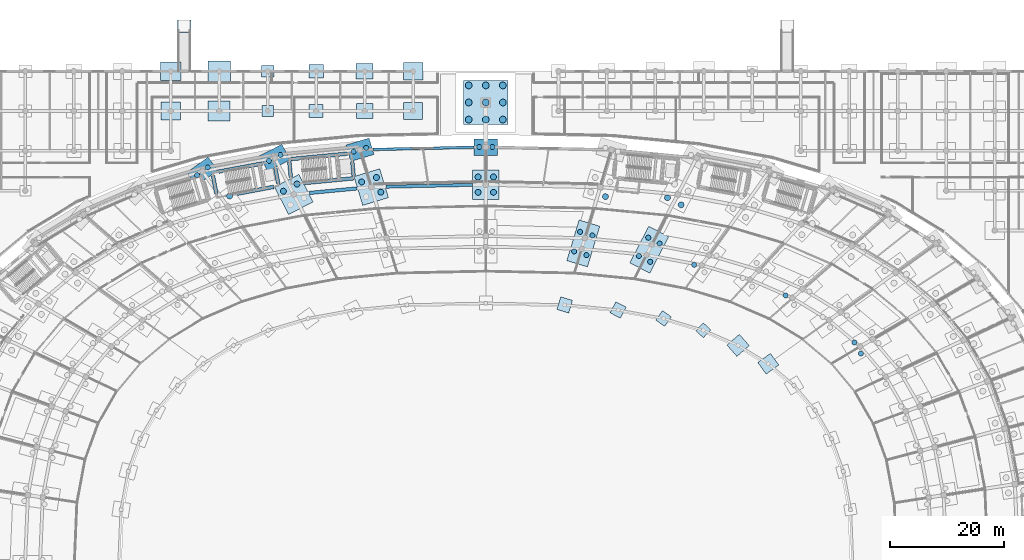
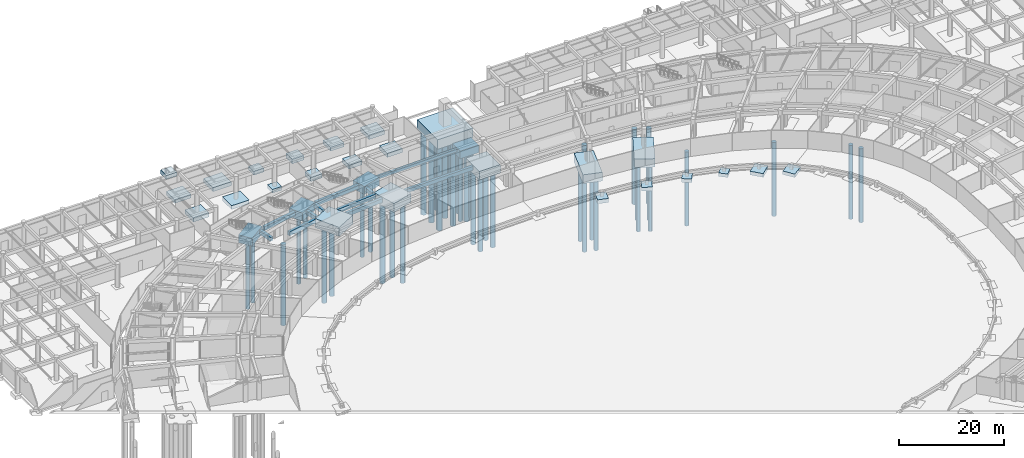
# One storey, part 11 of 88: 42 piles, 40 footings.
"""IFC4 building model written with IfcOpenShell, lengths in metres."""

from ifc_helpers import new_model, si_unit, direction, frame, origin, origin_2d, place, context, subcontext, project, spatial, rectangle, circle, extrude, material, material_profile, profile_set, type_object, element, save


model = new_model("IFC4")

# Units and contexts
model_context = context("Model", 3, precision=1e-05, world=origin(), true_north=direction((0.0, 1.0)))
body_context = subcontext(model_context, "Body", "Model", "MODEL_VIEW")
ifc_project = project(units=[si_unit("LENGTHUNIT", "METRE"), si_unit("AREAUNIT", "SQUARE_METRE"), si_unit("VOLUMEUNIT", "CUBIC_METRE"), si_unit("PLANEANGLEUNIT", "RADIAN"), si_unit("MASSUNIT", "GRAM", prefix="KILO")], contexts=[model_context])

# Site, building, storey
site_placement = place(None, origin())
site = spatial("IfcSite", under=ifc_project, at=site_placement, CompositionType="ELEMENT")
building_placement = place(site_placement, origin())
building = spatial("IfcBuilding", under=site, at=building_placement, Name="Mphavela Belvedere Stadium", CompositionType="ELEMENT")
storey_placement = place(building_placement, origin())
storey = spatial("IfcBuildingStorey", under=building, at=storey_placement, Name="L00", CompositionType="ELEMENT", Elevation=0.0)

# Footings
ifc_material_1 = material(Name="Concrete C35/45", Category="concrete")
footing_type_1 = type_object("IfcFootingType", Name="FTG-CORE-CF03", PredefinedType="PAD_FOOTING", material=ifc_material_1)
footing_1_placement = place(storey_placement, frame((91.653564453125, 156.848388671875, -0.89990234375), z_axis=(0.0, 0.0, 1.0), x_axis=(-0.094977069084, 0.995479460536, 0.0)))
element("IfcFooting", 1, at=footing_1_placement, inside=storey, type_object=footing_type_1, Name="Core C04 shear wall foundation pad right", PredefinedType="PAD_FOOTING", context=body_context, shape_type="SweptSolid", body=[
    extrude(rectangle(XDim=2.5, YDim=0.64990234375, at=origin_2d()), origin(), (0.0, 0.0, 1.0), 0.89990234375),
])
ifc_material_2 = material(Name="Concrete C35/45", Category="concrete")
footing_type_2 = type_object("IfcFootingType", Name="FTG-CORE-CF04", PredefinedType="PAD_FOOTING", material=ifc_material_2)
for number, where, z_axis, x_axis, name in (
    (2, (78.279052734375, 155.533447265625, -0.89990234375), (0.0, 0.0, 1.0), (-0.183093507769, 0.983095502692, 0.0), "Core C02 shear wall foundation pad right"),
    (3, (80.594970703125, 156.729736328125, -0.89990234375), (0.0, 0.0, 1.0), (-0.094977069084, 0.995479460536, 0.0), "Core C04 shear wall foundation pad left"),
):
    element("IfcFooting", number, at=place(storey_placement, frame(where, z_axis=z_axis, x_axis=x_axis)), inside=storey, type_object=footing_type_2, Name=name, PredefinedType="PAD_FOOTING", context=body_context, shape_type="SweptSolid", body=[
        extrude(rectangle(XDim=2.75, YDim=0.64990234375, at=origin_2d()), origin(), (0.0, 0.0, 1.0), 0.89990234375),
    ])
ifc_material_3 = material(Name="Concrete C35/45", Category="concrete")
footing_type_3 = type_object("IfcFootingType", Name="FTG-CORE-CF06", PredefinedType="PAD_FOOTING", material=ifc_material_3)
footing_2_placement = place(storey_placement, frame((67.345703125, 154.051025390625, -0.89990234375), z_axis=(0.0, 0.0, 1.0), x_axis=(-0.183093507769, 0.983095502692, 0.0)))
element("IfcFooting", 4, at=footing_2_placement, inside=storey, type_object=footing_type_3, Name="Core C02 shear wall foundation pad left", PredefinedType="PAD_FOOTING", context=body_context, shape_type="SweptSolid", body=[
    extrude(rectangle(XDim=3.25, YDim=0.64990234375, at=origin_2d()), origin(), (0.0, 0.0, 1.0), 0.89990234375),
])
ifc_material_4 = material(Name="Concrete C35/45", Category="concrete")
footing_type_4 = type_object("IfcFootingType", Name="FTG-CORE-CF16", PredefinedType="PAD_FOOTING", material=ifc_material_4)
footing_3_placement = place(storey_placement, frame((74.5419921875, 153.073974609375, -0.89990234375), z_axis=(0.0, 0.0, 1.0), x_axis=(0.983095502692, 0.183093507769, 0.0)))
element("IfcFooting", 5, at=footing_3_placement, inside=storey, type_object=footing_type_4, Name="Core C02 shear wall foundation pad front", PredefinedType="PAD_FOOTING", context=body_context, shape_type="SweptSolid", body=[
    extrude(rectangle(XDim=6.5, YDim=0.64990234375, at=origin_2d()), origin(), (0.0, 0.0, 1.0), 0.89990234375),
])
ifc_material_5 = material(Name="Concrete C35/45", Category="concrete")
footing_type_5 = type_object("IfcFootingType", Name="FTG-CORE-CF19", PredefinedType="PAD_FOOTING", material=ifc_material_5)
footing_4_placement = place(storey_placement, frame((71.893310546875, 157.06640625, -0.89990234375), z_axis=(0.0, 0.0, 1.0), x_axis=(0.983095502692, 0.183093507769, 0.0)))
element("IfcFooting", 6, at=footing_4_placement, inside=storey, type_object=footing_type_5, Name="Core C02 shear wall foundation pad rear", PredefinedType="PAD_FOOTING", context=body_context, shape_type="SweptSolid", body=[
    extrude(rectangle(XDim=7.75, YDim=0.64990234375, at=origin_2d()), origin(), (0.0, 0.0, 1.0), 0.89990234375),
])
ifc_material_6 = material(Name="Concrete C35/45", Category="concrete")
footing_type_6 = type_object("IfcFootingType", Name="FTG-CORE-CF21", PredefinedType="PAD_FOOTING", material=ifc_material_6)
footing_5_placement = place(storey_placement, frame((87.470947265625, 154.7626953125, -0.89990234375), z_axis=(0.0, 0.0, 1.0), x_axis=(0.995479460536, 0.094977069084, 0.0)))
element("IfcFooting", 7, at=footing_5_placement, inside=storey, type_object=footing_type_6, Name="Core C04 shear wall foundation pad front", PredefinedType="PAD_FOOTING", context=body_context, shape_type="SweptSolid", body=[
    extrude(rectangle(XDim=8.75, YDim=0.64990234375, at=origin_2d()), origin(), (0.0, 0.0, 1.0), 0.89990234375),
])
ifc_material_7 = material(Name="Concrete C35/45", Category="concrete")
footing_type_7 = type_object("IfcFootingType", Name="FTG-CORE-CF23", PredefinedType="PAD_FOOTING", material=ifc_material_7)
footing_6_placement = place(storey_placement, frame((85.697509765625, 159.023681640625, -0.89990234375), z_axis=(0.0, 0.0, 1.0), x_axis=(0.995479460536, 0.094977069084, 0.0)))
element("IfcFooting", 8, at=footing_6_placement, inside=storey, type_object=footing_type_7, Name="Core C04 shear wall foundation pad rear", PredefinedType="PAD_FOOTING", context=body_context, shape_type="SweptSolid", body=[
    extrude(rectangle(XDim=10.0, YDim=0.64990234375, at=origin_2d()), origin(), (0.0, 0.0, 1.0), 0.89990234375),
])
ifc_material_8 = material(Name="Concrete C35/45", Category="concrete")
ifc_material_profile_1 = material_profile(ifc_material_8, rectangle(XDim=0.449951171875, YDim=0.75, at=origin_2d()), Name="GB 450x750")
ifc_profile_set_1 = profile_set([ifc_material_profile_1], Name="Concrete C35/45")
footing_type_8 = type_object("IfcFootingType", Name="FTG-GB-01", PredefinedType="FOOTING_BEAM", material=ifc_profile_set_1)
footing_7_placement = place(storey_placement, frame((112.9111328125, 160.625, -0.5), z_axis=(-0.999768275781, -0.021526605434, 0.0), x_axis=(0.021526605434, -0.999768275781, 0.0)))
element("IfcFooting", 9, at=footing_7_placement, inside=storey, type_object=footing_type_8, Name="Ground tie-beam R4-13", PredefinedType="FOOTING_BEAM", context=body_context, shape_type="SweptSolid", body=[
    extrude(rectangle(XDim=0.449951171875, YDim=0.75, at=origin_2d()), origin(), (0.0, 0.0, 1.0), 17.7265625),
])
ifc_material_9 = material(Name="Concrete C35/45", Category="concrete")
ifc_material_profile_2 = material_profile(ifc_material_9, rectangle(XDim=0.550048828125, YDim=0.85009765625, at=origin_2d()), Name="GB 550x850")
ifc_profile_set_2 = profile_set([ifc_material_profile_2], Name="Concrete C35/45")
footing_type_9 = type_object("IfcFootingType", Name="FTG-GB-03", PredefinedType="FOOTING_BEAM", material=ifc_profile_set_2)
footing_8_placement = place(storey_placement, frame((112.66015625, 154.01708984375, -0.550048828125), z_axis=(-0.999768391187, -0.021521244921, 0.0), x_axis=(0.021521244921, -0.999768391187, 0.0)))
element("IfcFooting", 10, at=footing_8_placement, inside=storey, type_object=footing_type_9, Name="Ground tie-beam R3-13", PredefinedType="FOOTING_BEAM", context=body_context, shape_type="SweptSolid", body=[
    extrude(rectangle(XDim=0.550048828125, YDim=0.85009765625, at=origin_2d()), origin(), (0.0, 0.0, 1.0), 15.235107421875),
])
ifc_material_10 = material(Name="Concrete C35/45", Category="concrete")
ifc_material_profile_3 = material_profile(ifc_material_10, rectangle(XDim=0.60009765625, YDim=0.89990234375, at=origin_2d()), Name="GB 600x900")
ifc_profile_set_3 = profile_set([ifc_material_profile_3], Name="Concrete C35/45")
footing_type_10 = type_object("IfcFootingType", Name="FTG-GB-04", PredefinedType="FOOTING_BEAM", material=ifc_profile_set_3)
footing_9_placement = place(storey_placement, frame((92.37646484375, 153.396484375, -0.550048828125), z_axis=(-0.99548437937, -0.094925499371, 0.0), x_axis=(0.094925499371, -0.99548437937, 0.0)))
element("IfcFooting", 11, at=footing_9_placement, inside=storey, type_object=footing_type_10, Name="Ground tie-beam R3-14", PredefinedType="FOOTING_BEAM", context=body_context, shape_type="SweptSolid", body=[
    extrude(rectangle(XDim=0.60009765625, YDim=0.89990234375, at=origin_2d()), origin(), (0.0, 0.0, 1.0), 8.412841796875),
])
ifc_material_11 = material(Name="Concrete C35/45", Category="concrete")
footing_type_11 = type_object("IfcFootingType", Name="FTG-PAD-01", PredefinedType="PAD_FOOTING", material=ifc_material_11)
footing_10_placement = place(storey_placement, frame((153.229736328125, 128.462890625, -0.7998046875), z_axis=(0.0, 0.0, 1.0), x_axis=(0.677903094969, 0.735151272753, 0.0)))
element("IfcFooting", 12, at=footing_10_placement, inside=storey, type_object=footing_type_11, Name="Tier front pad footing 09", PredefinedType="PAD_FOOTING", context=body_context, shape_type="SweptSolid", body=[
    extrude(rectangle(XDim=1.89990234375, YDim=1.800048828125, at=origin_2d()), origin(), (0.0, 0.0, 1.0), 0.800048828125),
])
ifc_material_12 = material(Name="Concrete C35/45", Category="concrete")
footing_type_12 = type_object("IfcFootingType", Name="FTG-PAD-02", PredefinedType="PAD_FOOTING", material=ifc_material_12)
for number, where, z_axis, x_axis, name in (
    (13, (146.2431640625, 130.53662109375, -0.83984375), (0.0, 0.0, 1.0), (0.582974127943, 0.812490717577, 0.0), "Tier front pad footing 10"),
    (14, (76.6669921875, 167.0, -0.83984375), (0.0, 0.0, 1.0), (1.0, 0.0, 0.0), "North Mast and Ceremonial End Forecourt pad footing 10-7"),
):
    element("IfcFooting", number, at=place(storey_placement, frame(where, z_axis=z_axis, x_axis=x_axis)), inside=storey, type_object=footing_type_12, Name=name, PredefinedType="PAD_FOOTING", context=body_context, shape_type="SweptSolid", body=[
        extrude(rectangle(XDim=2.0400390625, YDim=1.919921875, at=origin_2d()), origin(), (0.0, 0.0, 1.0), 0.840087890625),
    ])
ifc_material_13 = material(Name="Concrete C35/45", Category="concrete")
footing_type_13 = type_object("IfcFootingType", Name="FTG-PAD-03", PredefinedType="PAD_FOOTING", material=ifc_material_13)
for number, where, z_axis, x_axis, name in (
    (15, (138.258056640625, 132.02392578125, -0.8798828125), (0.0, 0.0, 1.0), (0.458959712465, 0.888457079624, 0.0), "Tier front pad footing 11"),
    (16, (76.6669921875, 174.0, -0.8798828125), (0.0, 0.0, 1.0), (1.0, 0.0, 0.0), "North Mast and Ceremonial End Forecourt pad footing 10-8"),
):
    element("IfcFooting", number, at=place(storey_placement, frame(where, z_axis=z_axis, x_axis=x_axis)), inside=storey, type_object=footing_type_13, Name=name, PredefinedType="PAD_FOOTING", context=body_context, shape_type="SweptSolid", body=[
        extrude(rectangle(XDim=2.179931640625, YDim=2.0400390625, at=origin_2d()), origin(), (0.0, 0.0, 1.0), 0.8798828125),
    ])
ifc_material_14 = material(Name="Concrete C35/45", Category="concrete")
footing_type_14 = type_object("IfcFootingType", Name="FTG-PAD-04", PredefinedType="PAD_FOOTING", material=ifc_material_14)
for number, where, z_axis, x_axis, name in (
    (17, (128.873779296875, 132.918701171875, -0.919921875), (0.0, 0.0, 1.0), (0.289198876314, 0.957269037387, 0.0), "Tier front pad footing 12"),
    (18, (62.0, 181.89990234375, -1.4599609375), (0.0, 0.0, 1.0), (1.0, 0.0, 0.0), "Ramp RP3 approach foundation pad"),
):
    element("IfcFooting", number, at=place(storey_placement, frame(where, z_axis=z_axis, x_axis=x_axis)), inside=storey, type_object=footing_type_14, Name=name, PredefinedType="PAD_FOOTING", context=body_context, shape_type="SweptSolid", body=[
        extrude(rectangle(XDim=2.320068359375, YDim=2.159912109375, at=origin_2d()), origin(), (0.0, 0.0, 1.0), 0.919921875),
    ])
ifc_material_15 = material(Name="Concrete C35/45", Category="concrete")
footing_type_15 = type_object("IfcFootingType", Name="FTG-PAD-05", PredefinedType="PAD_FOOTING", material=ifc_material_15)
footing_11_placement = place(storey_placement, frame((85.18505859375, 167.0, -0.9599609375), z_axis=(0.0, 0.0, 1.0), x_axis=(1.0, 0.0, 0.0)))
element("IfcFooting", 19, at=footing_11_placement, inside=storey, type_object=footing_type_15, Name="North Mast and Ceremonial End Forecourt pad footing 11-7", PredefinedType="PAD_FOOTING", context=body_context, shape_type="SweptSolid", body=[
    extrude(rectangle(XDim=2.4599609375, YDim=2.280029296875, at=origin_2d()), origin(), (0.0, 0.0, 1.0), 0.9599609375),
])
ifc_material_16 = material(Name="Concrete C35/45", Category="concrete")
footing_type_16 = type_object("IfcFootingType", Name="FTG-PAD-06", PredefinedType="PAD_FOOTING", material=ifc_material_16)
footing_12_placement = place(storey_placement, frame((85.18505859375, 174.0, -1.0), z_axis=(0.0, 0.0, 1.0), x_axis=(1.0, 0.0, 0.0)))
element("IfcFooting", 20, at=footing_12_placement, inside=storey, type_object=footing_type_16, Name="North Mast and Ceremonial End Forecourt pad footing 11-8", PredefinedType="PAD_FOOTING", context=body_context, shape_type="SweptSolid", body=[
    extrude(rectangle(XDim=2.60009765625, YDim=2.39990234375, at=origin_2d()), origin(), (0.0, 0.0, 1.0), 1.0),
])
ifc_material_17 = material(Name="Concrete C35/45", Category="concrete")
footing_type_17 = type_object("IfcFootingType", Name="FTG-PAD-07", PredefinedType="PAD_FOOTING", material=ifc_material_17)
footing_13_placement = place(storey_placement, frame((164.658935546875, 122.580322265625, -0.7998046875), z_axis=(0.0, 0.0, 1.0), x_axis=(0.812897512265, 0.582406760395, 0.0)))
element("IfcFooting", 21, at=footing_13_placement, inside=storey, type_object=footing_type_17, Name="Tier front pad footing 07", PredefinedType="PAD_FOOTING", context=body_context, shape_type="SweptSolid", body=[
    extrude(rectangle(XDim=2.739990234375, YDim=2.52001953125, at=origin_2d()), origin(), (0.0, 0.0, 1.0), 0.800048828125),
])
ifc_material_18 = material(Name="Concrete C35/45", Category="concrete")
footing_type_18 = type_object("IfcFootingType", Name="FTG-PAD-08", PredefinedType="PAD_FOOTING", material=ifc_material_18)
for number, where, z_axis, x_axis, name in (
    (22, (159.351806640625, 125.80908203125, -0.83984375), (0.0, 0.0, 1.0), (0.752529860433, 0.658558128912, 0.0), "Tier front pad footing 08"),
    (23, (93.7041015625, 167.0, -0.83984375), (0.0, 0.0, 1.0), (1.0, 0.0, 0.0), "North Mast and Ceremonial End Forecourt pad footing 12-7"),
):
    element("IfcFooting", number, at=place(storey_placement, frame(where, z_axis=z_axis, x_axis=x_axis)), inside=storey, type_object=footing_type_18, Name=name, PredefinedType="PAD_FOOTING", context=body_context, shape_type="SweptSolid", body=[
        extrude(rectangle(XDim=2.8798828125, YDim=2.639892578125, at=origin_2d()), origin(), (0.0, 0.0, 1.0), 0.840087890625),
    ])
ifc_material_19 = material(Name="Concrete C35/45", Category="concrete")
footing_type_19 = type_object("IfcFootingType", Name="FTG-PAD-09", PredefinedType="PAD_FOOTING", material=ifc_material_19)
footing_14_placement = place(storey_placement, frame((93.7041015625, 174.0, -0.8798828125), z_axis=(0.0, 0.0, 1.0), x_axis=(1.0, 0.0, 0.0)))
element("IfcFooting", 24, at=footing_14_placement, inside=storey, type_object=footing_type_19, Name="North Mast and Ceremonial End Forecourt pad footing 12-8", PredefinedType="PAD_FOOTING", context=body_context, shape_type="SweptSolid", body=[
    extrude(rectangle(XDim=3.02001953125, YDim=2.760009765625, at=origin_2d()), origin(), (0.0, 0.0, 1.0), 0.8798828125),
])
ifc_material_20 = material(Name="Concrete C35/45", Category="concrete")
footing_type_20 = type_object("IfcFootingType", Name="FTG-PAD-11", PredefinedType="PAD_FOOTING", material=ifc_material_20)
footing_15_placement = place(storey_placement, frame((102.221923828125, 167.0, -0.9599609375), z_axis=(0.0, 0.0, 1.0), x_axis=(1.0, 0.0, 0.0)))
element("IfcFooting", 25, at=footing_15_placement, inside=storey, type_object=footing_type_20, Name="North Mast and Ceremonial End Forecourt pad footing 13-7", PredefinedType="PAD_FOOTING", context=body_context, shape_type="SweptSolid", body=[
    extrude(rectangle(XDim=3.300048828125, YDim=3.0, at=origin_2d()), origin(), (0.0, 0.0, 1.0), 0.9599609375),
])
ifc_material_21 = material(Name="Concrete C35/45", Category="concrete")
footing_type_21 = type_object("IfcFootingType", Name="FTG-PAD-12", PredefinedType="PAD_FOOTING", material=ifc_material_21)
for number, where, z_axis, x_axis, name in (
    (26, (59.6298828125, 167.0, -1.0), (0.0, 0.0, 1.0), (1.0, 0.0, 0.0), "North Mast and Ceremonial End Forecourt pad footing 8-7"),
    (27, (102.221923828125, 174.0, -1.0), (0.0, 0.0, 1.0), (1.0, 0.0, 0.0), "North Mast and Ceremonial End Forecourt pad footing 13-8"),
):
    element("IfcFooting", number, at=place(storey_placement, frame(where, z_axis=z_axis, x_axis=x_axis)), inside=storey, type_object=footing_type_21, Name=name, PredefinedType="PAD_FOOTING", context=body_context, shape_type="SweptSolid", body=[
        extrude(rectangle(XDim=3.43994140625, YDim=3.1201171875, at=origin_2d()), origin(), (0.0, 0.0, 1.0), 1.0),
    ])
ifc_material_22 = material(Name="Concrete C35/45", Category="concrete")
footing_type_22 = type_object("IfcFootingType", Name="FTG-PAD-13", PredefinedType="PAD_FOOTING", material=ifc_material_22)
footing_16_placement = place(storey_placement, frame((59.6298828125, 174.0, -0.7998046875), z_axis=(0.0, 0.0, 1.0), x_axis=(1.0, 0.0, 0.0)))
element("IfcFooting", 28, at=footing_16_placement, inside=storey, type_object=footing_type_22, Name="North Mast and Ceremonial End Forecourt pad footing 8-8", PredefinedType="PAD_FOOTING", context=body_context, shape_type="SweptSolid", body=[
    extrude(rectangle(XDim=3.580078125, YDim=3.239990234375, at=origin_2d()), origin(), (0.0, 0.0, 1.0), 0.800048828125),
])
ifc_material_23 = material(Name="Concrete C35/45", Category="concrete")
footing_type_23 = type_object("IfcFootingType", Name="FTG-PAD-15", PredefinedType="PAD_FOOTING", material=ifc_material_23)
footing_17_placement = place(storey_placement, frame((68.14794921875, 167.0, -0.8798828125), z_axis=(0.0, 0.0, 1.0), x_axis=(1.0, 0.0, 0.0)))
element("IfcFooting", 29, at=footing_17_placement, inside=storey, type_object=footing_type_23, Name="North Mast and Ceremonial End Forecourt pad footing 9-7", PredefinedType="PAD_FOOTING", context=body_context, shape_type="SweptSolid", body=[
    extrude(rectangle(XDim=3.860107421875, YDim=3.47998046875, at=origin_2d()), origin(), (0.0, 0.0, 1.0), 0.8798828125),
])
ifc_material_24 = material(Name="Concrete C35/45", Category="concrete")
footing_type_24 = type_object("IfcFootingType", Name="FTG-PAD-16", PredefinedType="PAD_FOOTING", material=ifc_material_24)
footing_18_placement = place(storey_placement, frame((68.14794921875, 174.0, -0.919921875), z_axis=(0.0, 0.0, 1.0), x_axis=(1.0, 0.0, 0.0)))
element("IfcFooting", 30, at=footing_18_placement, inside=storey, type_object=footing_type_24, Name="North Mast and Ceremonial End Forecourt pad footing 9-8", PredefinedType="PAD_FOOTING", context=body_context, shape_type="SweptSolid", body=[
    extrude(rectangle(XDim=4.0, YDim=3.60009765625, at=origin_2d()), origin(), (0.0, 0.0, 1.0), 0.919921875),
])
ifc_material_25 = material(Name="Concrete C35/45", Category="concrete")
footing_type_25 = type_object("IfcFootingType", Name="FTG-PC-MAST", PredefinedType="PILE_CAP", material=ifc_material_25)
footing_19_placement = place(storey_placement, frame((115.0, 168.5, -2.2001953125), z_axis=(0.0, 0.0, 1.0), x_axis=(1.0, 0.0, 0.0)))
element("IfcFooting", 31, at=footing_19_placement, inside=storey, type_object=footing_type_25, Name="North mast buttress 9-pile cap PC-M1", PredefinedType="PILE_CAP", context=body_context, shape_type="SweptSolid", body=[
    extrude(rectangle(XDim=7.800048828125, YDim=7.800048828125, at=origin_2d()), origin(), (0.0, 0.0, 1.0), 2.199951171875),
])
ifc_material_26 = material(Name="Concrete C35/45", Category="concrete")
footing_type_26 = type_object("IfcFootingType", Name="FTG-PC-R12-03", PredefinedType="PILE_CAP", material=ifc_material_26)
footing_20_placement = place(storey_placement, frame((143.7314453125, 142.619873046875, -1.97021484375), z_axis=(0.0, 0.0, 1.0), x_axis=(0.458959712465, 0.888457079624, 0.0)))
element("IfcFooting", 32, at=footing_20_placement, inside=storey, type_object=footing_type_26, Name="Bowl inner pile cap 11", PredefinedType="PILE_CAP", context=body_context, shape_type="SweptSolid", body=[
    extrude(rectangle(XDim=7.239990234375, YDim=3.9599609375, at=origin_2d()), origin(), (0.0, 0.0, 1.0), 1.969970703125),
])
ifc_material_27 = material(Name="Concrete C35/45", Category="concrete")
footing_type_27 = type_object("IfcFootingType", Name="FTG-PC-R12-04", PredefinedType="PILE_CAP", material=ifc_material_27)
footing_21_placement = place(storey_placement, frame((132.138916015625, 143.72509765625, -2.02978515625), z_axis=(0.0, 0.0, 1.0), x_axis=(0.289198876314, 0.957269037387, 0.0)))
element("IfcFooting", 33, at=footing_21_placement, inside=storey, type_object=footing_type_27, Name="Bowl inner pile cap 12", PredefinedType="PILE_CAP", context=body_context, shape_type="SweptSolid", body=[
    extrude(rectangle(XDim=7.4599609375, YDim=3.800048828125, at=origin_2d()), origin(), (0.0, 0.0, 1.0), 2.030029296875),
])
ifc_material_28 = material(Name="Concrete C35/45", Category="concrete")
footing_type_28 = type_object("IfcFootingType", Name="FTG-PC-R3-05", PredefinedType="PILE_CAP", material=ifc_material_28)
footing_22_placement = place(storey_placement, frame((115.0, 154.0673828125, -1.9501953125), z_axis=(0.0, 0.0, 1.0), x_axis=(0.0, 1.0, 0.0)))
element("IfcFooting", 34, at=footing_22_placement, inside=storey, type_object=footing_type_28, Name="Bowl main pile cap 13", PredefinedType="PILE_CAP", context=body_context, shape_type="SweptSolid", body=[
    extrude(rectangle(XDim=5.159912109375, YDim=4.60009765625, at=origin_2d()), origin(), (0.0, 0.0, 1.0), 1.949951171875),
])
ifc_material_29 = material(Name="Concrete C35/45", Category="concrete")
footing_type_29 = type_object("IfcFootingType", Name="FTG-PC-R3-06", PredefinedType="PILE_CAP", material=ifc_material_29)
footing_23_placement = place(storey_placement, frame((94.8671875, 153.634033203125, -2.009765625), z_axis=(0.0, 0.0, 1.0), x_axis=(-0.289198876314, 0.957269037387, 0.0)))
element("IfcFooting", 35, at=footing_23_placement, inside=storey, type_object=footing_type_29, Name="Bowl main pile cap 14", PredefinedType="PILE_CAP", context=body_context, shape_type="SweptSolid", body=[
    extrude(rectangle(XDim=5.300048828125, YDim=4.719970703125, at=origin_2d()), origin(), (0.0, 0.0, 1.0), 2.010009765625),
])
ifc_material_30 = material(Name="Concrete C35/45", Category="concrete")
footing_type_30 = type_object("IfcFootingType", Name="FTG-PC-R3-07", PredefinedType="PILE_CAP", material=ifc_material_30)
footing_24_placement = place(storey_placement, frame((81.249755859375, 152.33544921875, -2.06982421875), z_axis=(0.0, 0.0, 1.0), x_axis=(-0.458959712465, 0.888457079624, 0.0)))
element("IfcFooting", 36, at=footing_24_placement, inside=storey, type_object=footing_type_30, Name="Bowl main pile cap 15", PredefinedType="PILE_CAP", context=body_context, shape_type="SweptSolid", body=[
    extrude(rectangle(XDim=5.43994140625, YDim=4.840087890625, at=origin_2d()), origin(), (0.0, 0.0, 1.0), 2.070068359375),
])
ifc_material_31 = material(Name="Concrete C35/45", Category="concrete")
footing_type_31 = type_object("IfcFootingType", Name="FTG-PC-R4-01", PredefinedType="PILE_CAP", material=ifc_material_31)
footing_25_placement = place(storey_placement, frame((115.0, 160.669921875, -1.7998046875), z_axis=(0.0, 0.0, 1.0), x_axis=(-1.0, 0.0, 0.0)))
element("IfcFooting", 37, at=footing_25_placement, inside=storey, type_object=footing_type_31, Name="Perimeter colonnade pile cap 13", PredefinedType="PILE_CAP", context=body_context, shape_type="SweptSolid", body=[
    extrude(rectangle(XDim=4.10009765625, YDim=2.89990234375, at=origin_2d()), origin(), (0.0, 0.0, 1.0), 1.800048828125),
])
ifc_material_32 = material(Name="Concrete C35/45", Category="concrete")
footing_type_32 = type_object("IfcFootingType", Name="FTG-PC-R4-02", PredefinedType="PILE_CAP", material=ifc_material_32)
footing_26_placement = place(storey_placement, frame((92.885498046875, 160.19384765625, -1.85986328125), z_axis=(0.0, 0.0, 1.0), x_axis=(-0.957269037387, -0.289198876314, 0.0)))
element("IfcFooting", 38, at=footing_26_placement, inside=storey, type_object=footing_type_32, Name="Perimeter colonnade pile cap 14", PredefinedType="PILE_CAP", context=body_context, shape_type="SweptSolid", body=[
    extrude(rectangle(XDim=4.25, YDim=3.0, at=origin_2d()), origin(), (0.0, 0.0, 1.0), 1.860107421875),
])
ifc_material_33 = material(Name="Concrete C35/45", Category="concrete")
footing_type_33 = type_object("IfcFootingType", Name="FTG-PC-R4-03", PredefinedType="PILE_CAP", material=ifc_material_33)
footing_27_placement = place(storey_placement, frame((77.92724609375, 158.767333984375, -1.919921875), z_axis=(0.0, 0.0, 1.0), x_axis=(-0.888457079624, -0.458959712465, 0.0)))
element("IfcFooting", 39, at=footing_27_placement, inside=storey, type_object=footing_type_33, Name="Perimeter colonnade pile cap 15", PredefinedType="PILE_CAP", context=body_context, shape_type="SweptSolid", body=[
    extrude(rectangle(XDim=4.39990234375, YDim=3.10009765625, at=origin_2d()), origin(), (0.0, 0.0, 1.0), 1.919921875),
])
ifc_material_34 = material(Name="Concrete C35/45", Category="concrete")
footing_type_34 = type_object("IfcFootingType", Name="FTG-PC-R4-04", PredefinedType="PILE_CAP", material=ifc_material_34)
footing_28_placement = place(storey_placement, frame((65.19873046875, 156.39697265625, -1.7998046875), z_axis=(0.0, 0.0, 1.0), x_axis=(-0.812490717577, -0.582974127943, 0.0)))
element("IfcFooting", 40, at=footing_28_placement, inside=storey, type_object=footing_type_34, Name="Perimeter colonnade pile cap 16", PredefinedType="PILE_CAP", context=body_context, shape_type="SweptSolid", body=[
    extrude(rectangle(XDim=4.550048828125, YDim=2.89990234375, at=origin_2d()), origin(), (0.0, 0.0, 1.0), 1.800048828125),
])

# Piles
ifc_material_35 = material(Name="Concrete C35/45", Category="concrete")
ifc_material_profile_4 = material_profile(ifc_material_35, circle(Radius=0.52490234375, at=origin_2d()), Name="BP D1050")
ifc_profile_set_4 = profile_set([ifc_material_profile_4], Name="Concrete C35/45")
pile_type_1 = type_object("IfcPileType", Name="PIL-BP1050-A", PredefinedType="BORED", material=ifc_profile_set_4)
for number, where, z_axis, x_axis, name in (
    (41, (149.330078125, 150.5166015625, -1.969970703125), (0.0, 0.0, -1.0), (1.0, 0.0, 0.0), "Bored pile R3-11-1"),
    (42, (146.931396484375, 151.755615234375, -1.969970703125), (0.0, 0.0, -1.0), (1.0, 0.0, 0.0), "Bored pile R3-11-2"),
    (43, (116.35009765625, 152.717529296875, -1.85009765625), (0.0, 0.0, -1.0), (1.0, 0.0, 0.0), "Bored pile R3-13-1"),
    (44, (113.64990234375, 152.717529296875, -1.85009765625), (0.0, 0.0, -1.0), (1.0, 0.0, 0.0), "Bored pile R3-13-2"),
    (45, (116.35009765625, 155.41748046875, -1.85009765625), (0.0, 0.0, -1.0), (1.0, 0.0, 0.0), "Bored pile R3-13-3"),
    (46, (113.64990234375, 155.41748046875, -1.85009765625), (0.0, 0.0, -1.0), (1.0, 0.0, 0.0), "Bored pile R3-13-4"),
    (47, (81.82958984375, 154.154541015625, -1.969970703125), (0.0, 0.0, -1.0), (1.0, 0.0, 0.0), "Bored pile R3-15-3"),
    (48, (79.4306640625, 152.915283203125, -1.969970703125), (0.0, 0.0, -1.0), (1.0, 0.0, 0.0), "Bored pile R3-15-4"),
):
    element("IfcPile", number, at=place(storey_placement, frame(where, z_axis=z_axis, x_axis=x_axis)), inside=storey, type_object=pile_type_1, Name=name, PredefinedType="BORED", context=body_context, shape_type="SweptSolid", body=[
        extrude(circle(Radius=0.52490234375, at=origin_2d()), origin(), (0.0, 0.0, 1.0), 17.5),
    ])
ifc_material_36 = material(Name="Concrete C35/45", Category="concrete")
ifc_material_profile_5 = material_profile(ifc_material_36, circle(Radius=0.52490234375, at=origin_2d()), Name="BP D1050")
ifc_profile_set_5 = profile_set([ifc_material_profile_5], Name="Concrete C35/45")
pile_type_2 = type_object("IfcPileType", Name="PIL-BP1050-B", PredefinedType="BORED", material=ifc_profile_set_5)
for number, where, z_axis, x_axis, name in (
    (49, (136.03466796875, 151.951171875, -2.030029296875), (0.0, 0.0, -1.0), (1.0, 0.0, 0.0), "Bored pile R3-12-1"),
    (50, (96.550048828125, 152.732177734375, -1.909912109375), (0.0, 0.0, -1.0), (1.0, 0.0, 0.0), "Bored pile R3-14-1"),
    (51, (95.769287109375, 155.31689453125, -1.909912109375), (0.0, 0.0, -1.0), (1.0, 0.0, 0.0), "Bored pile R3-14-3"),
    (52, (93.1845703125, 154.535888671875, -1.909912109375), (0.0, 0.0, -1.0), (1.0, 0.0, 0.0), "Bored pile R3-14-4"),
    (53, (69.9716796875, 152.061279296875, -2.030029296875), (0.0, 0.0, -1.0), (1.0, 0.0, 0.0), "Bored pile R3-16-3"),
):
    element("IfcPile", number, at=place(storey_placement, frame(where, z_axis=z_axis, x_axis=x_axis)), inside=storey, type_object=pile_type_2, Name=name, PredefinedType="BORED", context=body_context, shape_type="SweptSolid", body=[
        extrude(circle(Radius=0.52490234375, at=origin_2d()), origin(), (0.0, 0.0, 1.0), 18.800048828125),
    ])
ifc_material_37 = material(Name="Concrete C35/45", Category="concrete")
ifc_material_profile_6 = material_profile(ifc_material_37, circle(Radius=0.60009765625, at=origin_2d()), Name="BP D1200")
ifc_profile_set_6 = profile_set([ifc_material_profile_6], Name="Concrete C35/45")
pile_type_3 = type_object("IfcPileType", Name="PIL-BP1200-M", PredefinedType="BORED", material=ifc_profile_set_6)
for number, where, z_axis, x_axis, name in (
    (54, (112.0, 165.5, -2.10009765625), (0.0, 0.0, -1.0), (1.0, 0.0, 0.0), "Mast buttress bored pile P-M1-01"),
    (55, (112.0, 168.5, -2.10009765625), (0.0, 0.0, -1.0), (1.0, 0.0, 0.0), "Mast buttress bored pile P-M1-02"),
    (56, (112.0, 171.5, -2.10009765625), (0.0, 0.0, -1.0), (1.0, 0.0, 0.0), "Mast buttress bored pile P-M1-03"),
    (57, (115.0, 165.5, -2.10009765625), (0.0, 0.0, -1.0), (1.0, 0.0, 0.0), "Mast buttress bored pile P-M1-04"),
    (58, (115.0, 168.5, -2.10009765625), (0.0, 0.0, -1.0), (1.0, 0.0, 0.0), "Mast buttress bored pile P-M1-05"),
    (59, (115.0, 171.5, -2.10009765625), (0.0, 0.0, -1.0), (1.0, 0.0, 0.0), "Mast buttress bored pile P-M1-06"),
    (60, (118.0, 165.5, -2.10009765625), (0.0, 0.0, -1.0), (1.0, 0.0, 0.0), "Mast buttress bored pile P-M1-07"),
    (61, (118.0, 168.5, -2.10009765625), (0.0, 0.0, -1.0), (1.0, 0.0, 0.0), "Mast buttress bored pile P-M1-08"),
    (62, (118.0, 171.5, -2.10009765625), (0.0, 0.0, -1.0), (1.0, 0.0, 0.0), "Mast buttress bored pile P-M1-09"),
):
    element("IfcPile", number, at=place(storey_placement, frame(where, z_axis=z_axis, x_axis=x_axis)), inside=storey, type_object=pile_type_3, Name=name, PredefinedType="BORED", context=body_context, shape_type="SweptSolid", body=[
        extrude(circle(Radius=0.60009765625, at=origin_2d()), origin(), (0.0, 0.0, 1.0), 19.5),
    ])
ifc_material_38 = material(Name="Concrete C35/45", Category="concrete")
ifc_material_profile_7 = material_profile(ifc_material_38, circle(Radius=0.449951171875, at=origin_2d()), Name="BP D900")
ifc_profile_set_7 = profile_set([ifc_material_profile_7], Name="Concrete C35/45")
pile_type_4 = type_object("IfcPileType", Name="PIL-BP900-A", PredefinedType="BORED", material=ifc_profile_set_7)
for number, where, z_axis, x_axis, name in (
    (63, (143.90478515625, 140.504150390625, -1.8701171875), (0.0, 0.0, -1.0), (1.0, 0.0, 0.0), "Bored pile R12-11-1"),
    (64, (141.90576171875, 141.536865234375, -1.8701171875), (0.0, 0.0, -1.0), (1.0, 0.0, 0.0), "Bored pile R12-11-2"),
    (65, (145.556884765625, 143.70263671875, -1.8701171875), (0.0, 0.0, -1.0), (1.0, 0.0, 0.0), "Bored pile R12-11-3"),
    (66, (143.55810546875, 144.7353515625, -1.8701171875), (0.0, 0.0, -1.0), (1.0, 0.0, 0.0), "Bored pile R12-11-4"),
):
    element("IfcPile", number, at=place(storey_placement, frame(where, z_axis=z_axis, x_axis=x_axis)), inside=storey, type_object=pile_type_4, Name=name, PredefinedType="BORED", context=body_context, shape_type="SweptSolid", body=[
        extrude(circle(Radius=0.449951171875, at=origin_2d()), origin(), (0.0, 0.0, 1.0), 16.0),
    ])
for number, where, z_axis, x_axis, name in (
    (67, (116.14990234375, 160.669921875, -1.699951171875), (0.0, 0.0, -1.0), (1.0, 0.0, 0.0), "Bored pile R4-13-1"),
    (68, (113.85009765625, 160.669921875, -1.699951171875), (0.0, 0.0, -1.0), (1.0, 0.0, 0.0), "Bored pile R4-13-2"),
    (69, (93.986328125, 160.5263671875, -1.760009765625), (0.0, 0.0, -1.0), (1.0, 0.0, 0.0), "Bored pile R4-14-1"),
    (70, (91.784423828125, 159.861083984375, -1.760009765625), (0.0, 0.0, -1.0), (1.0, 0.0, 0.0), "Bored pile R4-14-2"),
    (71, (78.948974609375, 159.295166015625, -1.820068359375), (0.0, 0.0, -1.0), (1.0, 0.0, 0.0), "Bored pile R4-15-1"),
    (72, (76.905517578125, 158.239501953125, -1.820068359375), (0.0, 0.0, -1.0), (1.0, 0.0, 0.0), "Bored pile R4-15-2"),
    (73, (66.133056640625, 157.0673828125, -1.699951171875), (0.0, 0.0, -1.0), (1.0, 0.0, 0.0), "Bored pile R4-16-1"),
    (74, (64.264404296875, 155.726318359375, -1.699951171875), (0.0, 0.0, -1.0), (1.0, 0.0, 0.0), "Bored pile R4-16-2"),
):
    element("IfcPile", number, at=place(storey_placement, frame(where, z_axis=z_axis, x_axis=x_axis)), inside=storey, type_object=pile_type_4, Name=name, PredefinedType="BORED", context=body_context, shape_type="SweptSolid", body=[
        extrude(circle(Radius=0.449951171875, at=origin_2d()), origin(), (0.0, 0.0, 1.0), 15.60009765625),
    ])
ifc_material_39 = material(Name="Concrete C35/45", Category="concrete")
ifc_material_profile_8 = material_profile(ifc_material_39, circle(Radius=0.449951171875, at=origin_2d()), Name="BP D900")
ifc_profile_set_8 = profile_set([ifc_material_profile_8], Name="Concrete C35/45")
pile_type_5 = type_object("IfcPileType", Name="PIL-BP900-B", PredefinedType="BORED", material=ifc_profile_set_8)
for number, where, z_axis, x_axis, name in (
    (75, (180.928955078125, 124.375244140625, -1.81005859375), (0.0, 0.0, -1.0), (1.0, 0.0, 0.0), "Bored pile R12-06-1"),
    (76, (179.790283203125, 126.31591796875, -1.81005859375), (0.0, 0.0, -1.0), (1.0, 0.0, 0.0), "Bored pile R12-06-2"),
    (77, (167.694091796875, 134.603515625, -1.929931640625), (0.0, 0.0, -1.0), (1.0, 0.0, 0.0), "Bored pile R12-08-2"),
    (78, (151.632568359375, 139.97607421875, -1.81005859375), (0.0, 0.0, -1.0), (1.0, 0.0, 0.0), "Bored pile R12-10-2"),
    (79, (132.695068359375, 141.6767578125, -1.929931640625), (0.0, 0.0, -1.0), (1.0, 0.0, 0.0), "Bored pile R12-12-1"),
    (80, (130.541259765625, 142.327392578125, -1.929931640625), (0.0, 0.0, -1.0), (1.0, 0.0, 0.0), "Bored pile R12-12-2"),
    (81, (133.736328125, 145.122802734375, -1.929931640625), (0.0, 0.0, -1.0), (1.0, 0.0, 0.0), "Bored pile R12-12-3"),
    (82, (131.58251953125, 145.773681640625, -1.929931640625), (0.0, 0.0, -1.0), (1.0, 0.0, 0.0), "Bored pile R12-12-4"),
):
    element("IfcPile", number, at=place(storey_placement, frame(where, z_axis=z_axis, x_axis=x_axis)), inside=storey, type_object=pile_type_5, Name=name, PredefinedType="BORED", context=body_context, shape_type="SweptSolid", body=[
        extrude(circle(Radius=0.449951171875, at=origin_2d()), origin(), (0.0, 0.0, 1.0), 17.199951171875),
    ])

save(model, "model.ifc")
